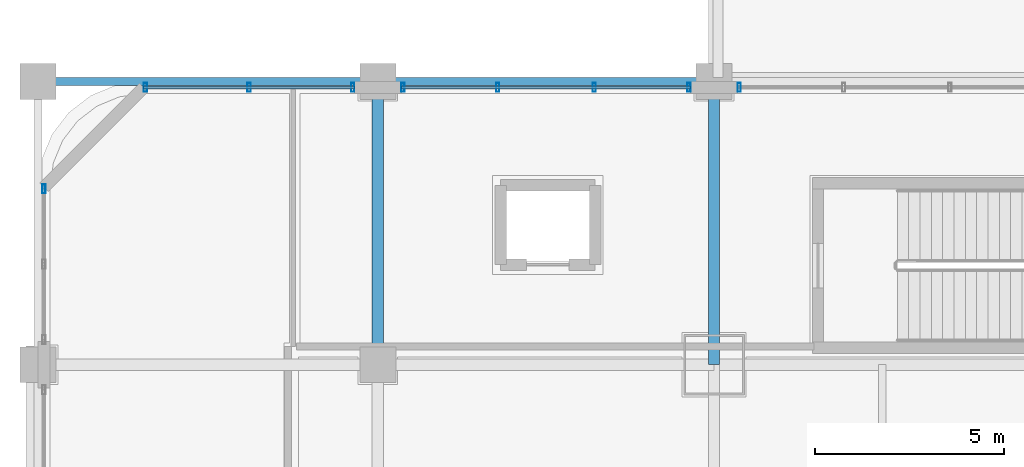
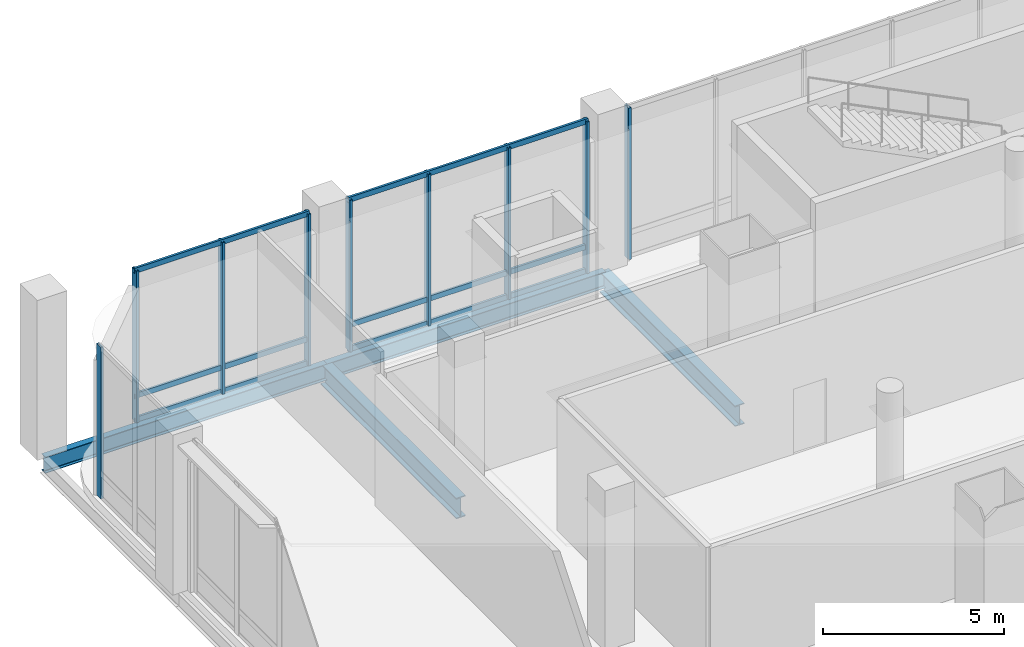
# One storey, part 15 of 43: 15 members, 4 beams, 4 elements without a shape of their own.
"""IFC4 building model written with IfcOpenShell, lengths in metres."""

from ifc_helpers import new_model, si_unit, direction, frame, origin, origin_2d, place, context, subcontext, project, spatial, hollow_rectangle, i_section, extrude, material, material_profile, profile_set, type_object, element, aggregate, save


model = new_model("IFC4")

# Units and contexts
model_context = context("Model", 3, precision=1e-05, world=origin(), true_north=direction((0.0, 1.0)))
body_context = subcontext(model_context, "Body", "Model", "MODEL_VIEW")
ifc_project = project(units=[si_unit("LENGTHUNIT", "METRE"), si_unit("AREAUNIT", "SQUARE_METRE"), si_unit("VOLUMEUNIT", "CUBIC_METRE"), si_unit("PLANEANGLEUNIT", "RADIAN"), si_unit("MASSUNIT", "GRAM", prefix="KILO")], contexts=[model_context])

# Site, building, storey
site_placement = place(None, origin())
site = spatial("IfcSite", under=ifc_project, at=site_placement, CompositionType="ELEMENT")
building_placement = place(site_placement, origin())
building = spatial("IfcBuilding", under=site, at=building_placement, Name="Punatoya Terracotta Tower", CompositionType="ELEMENT")
storey_placement = place(building_placement, frame((0.0, 0.0, 6.0)))
storey = spatial("IfcBuildingStorey", under=building, at=storey_placement, Name="L01", CompositionType="ELEMENT", Elevation=6.0)

# Beams
ifc_material_1 = material(Name="Steel S355", Category="steel")
ifc_material_profile_1 = material_profile(ifc_material_1, i_section(OverallWidth=0.300048828125, OverallDepth=0.699951171875, WebThickness=0.01708984375, FlangeThickness=0.031982421875, FilletRadius=0.01806640625, at=origin_2d()))
ifc_profile_set_1 = profile_set([ifc_material_profile_1], Name="Steel S355")
beam_type_1 = type_object("IfcBeamType", Name="BM-PRI-700", PredefinedType="BEAM", material=ifc_profile_set_1)
for number, where, z_axis, x_axis, name in (
    (1, (-28.0, 17.5, -0.6298828125), (0.0, 1.0, 0.0), (-1.0, 0.0, 0.0), "BM-L01-X28W-17"),
    (2, (-19.10009765625, 17.5, -0.6298828125), (0.0, 1.0, 0.0), (-1.0, 0.0, 0.0), "BM-L01-M19W-17"),
):
    element("IfcBeam", number, at=place(storey_placement, frame(where, z_axis=z_axis, x_axis=x_axis)), inside=storey, type_object=beam_type_1, Name=name, PredefinedType="BEAM", context=body_context, shape_type="SweptSolid", body=[
        extrude(i_section(OverallWidth=0.300048828125, OverallDepth=0.699951171875, WebThickness=0.01708984375, FlangeThickness=0.031982421875, FilletRadius=0.01806640625, at=origin_2d()), origin(), (0.0, 0.0, 1.0), 7.5),
    ])
ifc_material_profile_2 = material_profile(ifc_material_1, i_section(OverallWidth=0.2099609375, OverallDepth=0.550048828125, WebThickness=0.010986328125, FlangeThickness=0.01708984375, FilletRadius=0.01806640625, at=origin_2d()))
ifc_profile_set_2 = profile_set([ifc_material_profile_2], Name="Steel S355")
beam_type_2 = type_object("IfcBeamType", Name="BM-SPN-550", PredefinedType="SPANDREL", material=ifc_profile_set_2)
beam_1_placement = place(storey_placement, frame((-37.0, 25.0, -0.554931640625), z_axis=(1.0, 0.0, 0.0), x_axis=(0.0, 1.0, 0.0)))
element("IfcBeam", 3, at=beam_1_placement, inside=storey, type_object=beam_type_2, Name="BM-L01-HW1", PredefinedType="SPANDREL", context=body_context, shape_type="SweptSolid", body=[
    extrude(i_section(OverallWidth=0.2099609375, OverallDepth=0.550048828125, WebThickness=0.010986328125, FlangeThickness=0.01708984375, FilletRadius=0.01806640625, at=origin_2d()), origin(), (0.0, 0.0, 1.0), 9.0),
])
beam_2_placement = place(storey_placement, frame((-28.0, 25.0, -0.554931640625), z_axis=(1.0, 0.0, 0.0), x_axis=(0.0, 1.0, 0.0)))
element("IfcBeam", 4, at=beam_2_placement, inside=storey, type_object=beam_type_2, Name="BM-L01-HW2", PredefinedType="SPANDREL", context=body_context, shape_type="SweptSolid", body=[
    extrude(i_section(OverallWidth=0.2099609375, OverallDepth=0.550048828125, WebThickness=0.010986328125, FlangeThickness=0.01708984375, FilletRadius=0.01806640625, at=origin_2d()), origin(), (0.0, 0.0, 1.0), 8.89990234375),
])

# Curtain wall, members
ifc_material_2 = material(Name="Aluminium 6063-T6 + Double Low-E Glass", Category="aluminium")
curtain_wall_type = type_object("IfcCurtainWallType", Name="CW-POD", PredefinedType="NOTDEFINED", material=ifc_material_2)
curtain_wall_1_placement = place(storey_placement, origin())
curtain_wall_1 = element("IfcCurtainWall", 5, at=curtain_wall_1_placement, inside=storey, type_object=curtain_wall_type, Name="L01 Curtain Wall CWP-L01-N1", PredefinedType="NOTDEFINED")
ifc_material_3 = material(Name="Aluminium 6063-T6", Category="aluminium")
ifc_material_profile_3 = material_profile(ifc_material_3, hollow_rectangle(XDim=0.0849609375, YDim=0.239990234375, WallThickness=0.0048828125, at=origin_2d()))
ifc_profile_set_3 = profile_set([ifc_material_profile_3], Name="Aluminium 6063-T6")
member_type_1 = type_object("IfcMemberType", Name="CW-MUL-POD", PredefinedType="MULLION", material=ifc_profile_set_3)
member_1_placement = place(storey_placement, frame((-28.6650390625, 24.840087890625, 0.0), z_axis=(0.0, 0.0, 1.0), x_axis=(1.0, 0.0, 0.0)))
member_1 = element("IfcMember", 6, at=member_1_placement, type_object=member_type_1, Name="CWP-L01-N1 Mullion 00", PredefinedType="MULLION", context=body_context, shape_type="SweptSolid", body=[
    extrude(hollow_rectangle(XDim=0.0849609375, YDim=0.239990234375, WallThickness=0.0048828125, at=origin_2d()), origin(), (0.0, 0.0, 1.0), 5.1201171875),
])
member_2_placement = place(storey_placement, frame((-31.409912109375, 24.840087890625, 0.0), z_axis=(0.0, 0.0, 1.0), x_axis=(1.0, 0.0, 0.0)))
member_2 = element("IfcMember", 7, at=member_2_placement, type_object=member_type_1, Name="CWP-L01-N1 Mullion 01", PredefinedType="MULLION", context=body_context, shape_type="SweptSolid", body=[
    extrude(hollow_rectangle(XDim=0.0849609375, YDim=0.239990234375, WallThickness=0.0048828125, at=origin_2d()), origin(), (0.0, 0.0, 1.0), 5.1201171875),
])
member_3_placement = place(storey_placement, frame((-34.155029296875, 24.840087890625, 0.0), z_axis=(0.0, 0.0, 1.0), x_axis=(1.0, 0.0, 0.0)))
member_3 = element("IfcMember", 8, at=member_3_placement, type_object=member_type_1, Name="CWP-L01-N1 Mullion 02", PredefinedType="MULLION", context=body_context, shape_type="SweptSolid", body=[
    extrude(hollow_rectangle(XDim=0.0849609375, YDim=0.239990234375, WallThickness=0.0048828125, at=origin_2d()), origin(), (0.0, 0.0, 1.0), 5.1201171875),
])

curtain_wall_2_placement = place(storey_placement, origin())
curtain_wall_2 = element("IfcCurtainWall", 9, at=curtain_wall_2_placement, inside=storey, type_object=curtain_wall_type, Name="L01 Curtain Wall CWP-L01-N2", PredefinedType="NOTDEFINED")
member_4_placement = place(storey_placement, frame((-19.764892578125, 24.840087890625, 0.0), z_axis=(0.0, 0.0, 1.0), x_axis=(1.0, 0.0, 0.0)))
member_4 = element("IfcMember", 10, at=member_4_placement, type_object=member_type_1, Name="CWP-L01-N2 Mullion 00", PredefinedType="MULLION", context=body_context, shape_type="SweptSolid", body=[
    extrude(hollow_rectangle(XDim=0.0849609375, YDim=0.239990234375, WallThickness=0.0048828125, at=origin_2d()), origin(), (0.0, 0.0, 1.0), 5.1201171875),
])
member_5_placement = place(storey_placement, frame((-22.273193359375, 24.840087890625, 0.0), z_axis=(0.0, 0.0, 1.0), x_axis=(1.0, 0.0, 0.0)))
member_5 = element("IfcMember", 11, at=member_5_placement, type_object=member_type_1, Name="CWP-L01-N2 Mullion 01", PredefinedType="MULLION", context=body_context, shape_type="SweptSolid", body=[
    extrude(hollow_rectangle(XDim=0.0849609375, YDim=0.239990234375, WallThickness=0.0048828125, at=origin_2d()), origin(), (0.0, 0.0, 1.0), 5.1201171875),
])
member_6_placement = place(storey_placement, frame((-24.82666015625, 24.840087890625, 0.0), z_axis=(0.0, 0.0, 1.0), x_axis=(1.0, 0.0, 0.0)))
member_6 = element("IfcMember", 12, at=member_6_placement, type_object=member_type_1, Name="CWP-L01-N2 Mullion 02", PredefinedType="MULLION", context=body_context, shape_type="SweptSolid", body=[
    extrude(hollow_rectangle(XDim=0.0849609375, YDim=0.239990234375, WallThickness=0.0048828125, at=origin_2d()), origin(), (0.0, 0.0, 1.0), 5.1201171875),
])
member_7_placement = place(storey_placement, frame((-27.3349609375, 24.840087890625, 0.0), z_axis=(0.0, 0.0, 1.0), x_axis=(1.0, 0.0, 0.0)))
member_7 = element("IfcMember", 13, at=member_7_placement, type_object=member_type_1, Name="CWP-L01-N2 Mullion 03", PredefinedType="MULLION", context=body_context, shape_type="SweptSolid", body=[
    extrude(hollow_rectangle(XDim=0.0849609375, YDim=0.239990234375, WallThickness=0.0048828125, at=origin_2d()), origin(), (0.0, 0.0, 1.0), 5.1201171875),
])

# Curtain wall, member
curtain_wall_3_placement = place(storey_placement, origin())
curtain_wall_3 = element("IfcCurtainWall", 14, at=curtain_wall_3_placement, inside=storey, type_object=curtain_wall_type, Name="L01 Curtain Wall CWP-L01-N3", PredefinedType="NOTDEFINED")
member_8_placement = place(storey_placement, frame((-18.43505859375, 24.840087890625, 0.0), z_axis=(0.0, 0.0, 1.0), x_axis=(1.0, 0.0, 0.0)))
member_8 = element("IfcMember", 15, at=member_8_placement, type_object=member_type_1, Name="CWP-L01-N3 Mullion 05", PredefinedType="MULLION", context=body_context, shape_type="SweptSolid", body=[
    extrude(hollow_rectangle(XDim=0.0849609375, YDim=0.239990234375, WallThickness=0.0048828125, at=origin_2d()), origin(), (0.0, 0.0, 1.0), 5.1201171875),
])
aggregate(curtain_wall_3, [member_8])

curtain_wall_4_placement = place(storey_placement, origin())
curtain_wall_4 = element("IfcCurtainWall", 16, at=curtain_wall_4_placement, inside=storey, type_object=curtain_wall_type, Name="L01 Curtain Wall CWP-L01-W4", PredefinedType="NOTDEFINED")
member_9_placement = place(storey_placement, frame((-36.840087890625, 22.155029296875, 0.0), z_axis=(0.0, 0.0, 1.0), x_axis=(1.0, 0.0, 0.0)))
member_9 = element("IfcMember", 17, at=member_9_placement, type_object=member_type_1, Name="CWP-L01-W4 Mullion 02", PredefinedType="MULLION", context=body_context, shape_type="SweptSolid", body=[
    extrude(hollow_rectangle(XDim=0.0849609375, YDim=0.239990234375, WallThickness=0.0048828125, at=origin_2d()), origin(), (0.0, 0.0, 1.0), 5.1201171875),
])
aggregate(curtain_wall_4, [member_9])

# Member
ifc_material_profile_4 = material_profile(ifc_material_3, hollow_rectangle(XDim=0.074951171875, YDim=0.175048828125, WallThickness=0.00439453125, at=origin_2d()))
ifc_profile_set_4 = profile_set([ifc_material_profile_4], Name="Aluminium 6063-T6")
member_type_2 = type_object("IfcMemberType", Name="CW-TRN-POD", PredefinedType="USERDEFINED", material=ifc_profile_set_4)
member_10_placement = place(storey_placement, frame((-28.6201171875, 24.840087890625, 0.0400390625), z_axis=(-1.0, 0.0, 0.0), x_axis=(0.0, -1.0, 0.0)))
member_10 = element("IfcMember", 18, at=member_10_placement, type_object=member_type_2, Name="CWP-L01-N1 Transom 1", ObjectType="TRANSOM", PredefinedType="USERDEFINED", context=body_context, shape_type="SweptSolid", body=[
    extrude(hollow_rectangle(XDim=0.074951171875, YDim=0.175048828125, WallThickness=0.00439453125, at=origin_2d()), origin(), (0.0, 0.0, 1.0), 5.579833984375),
])

member_11_placement = place(storey_placement, frame((-28.6201171875, 24.840087890625, 0.85009765625), z_axis=(-1.0, 0.0, 0.0), x_axis=(0.0, -1.0, 0.0)))
member_11 = element("IfcMember", 19, at=member_11_placement, type_object=member_type_2, Name="CWP-L01-N1 Transom 2", ObjectType="TRANSOM", PredefinedType="USERDEFINED", context=body_context, shape_type="SweptSolid", body=[
    extrude(hollow_rectangle(XDim=0.074951171875, YDim=0.175048828125, WallThickness=0.00439453125, at=origin_2d()), origin(), (0.0, 0.0, 1.0), 5.579833984375),
])

member_12_placement = place(storey_placement, frame((-28.6201171875, 24.840087890625, 5.080078125), z_axis=(-1.0, 0.0, 0.0), x_axis=(0.0, -1.0, 0.0)))
member_12 = element("IfcMember", 20, at=member_12_placement, type_object=member_type_2, Name="CWP-L01-N1 Transom 3", ObjectType="TRANSOM", PredefinedType="USERDEFINED", context=body_context, shape_type="SweptSolid", body=[
    extrude(hollow_rectangle(XDim=0.074951171875, YDim=0.175048828125, WallThickness=0.00439453125, at=origin_2d()), origin(), (0.0, 0.0, 1.0), 5.579833984375),
])

aggregate(curtain_wall_1, [member_1, member_2, member_3, member_10, member_11, member_12])

member_13_placement = place(storey_placement, frame((-19.719970703125, 24.840087890625, 0.0400390625), z_axis=(-1.0, 0.0, 0.0), x_axis=(0.0, -1.0, 0.0)))
member_13 = element("IfcMember", 21, at=member_13_placement, type_object=member_type_2, Name="CWP-L01-N2 Transom 1", ObjectType="TRANSOM", PredefinedType="USERDEFINED", context=body_context, shape_type="SweptSolid", body=[
    extrude(hollow_rectangle(XDim=0.074951171875, YDim=0.175048828125, WallThickness=0.00439453125, at=origin_2d()), origin(), (0.0, 0.0, 1.0), 7.659912109375),
])

member_14_placement = place(storey_placement, frame((-19.719970703125, 24.840087890625, 0.85009765625), z_axis=(-1.0, 0.0, 0.0), x_axis=(0.0, -1.0, 0.0)))
member_14 = element("IfcMember", 22, at=member_14_placement, type_object=member_type_2, Name="CWP-L01-N2 Transom 2", ObjectType="TRANSOM", PredefinedType="USERDEFINED", context=body_context, shape_type="SweptSolid", body=[
    extrude(hollow_rectangle(XDim=0.074951171875, YDim=0.175048828125, WallThickness=0.00439453125, at=origin_2d()), origin(), (0.0, 0.0, 1.0), 7.659912109375),
])

member_15_placement = place(storey_placement, frame((-19.719970703125, 24.840087890625, 5.080078125), z_axis=(-1.0, 0.0, 0.0), x_axis=(0.0, -1.0, 0.0)))
member_15 = element("IfcMember", 23, at=member_15_placement, type_object=member_type_2, Name="CWP-L01-N2 Transom 3", ObjectType="TRANSOM", PredefinedType="USERDEFINED", context=body_context, shape_type="SweptSolid", body=[
    extrude(hollow_rectangle(XDim=0.074951171875, YDim=0.175048828125, WallThickness=0.00439453125, at=origin_2d()), origin(), (0.0, 0.0, 1.0), 7.659912109375),
])

aggregate(curtain_wall_2, [member_4, member_5, member_6, member_7, member_13, member_14, member_15])

save(model, "model.ifc")
